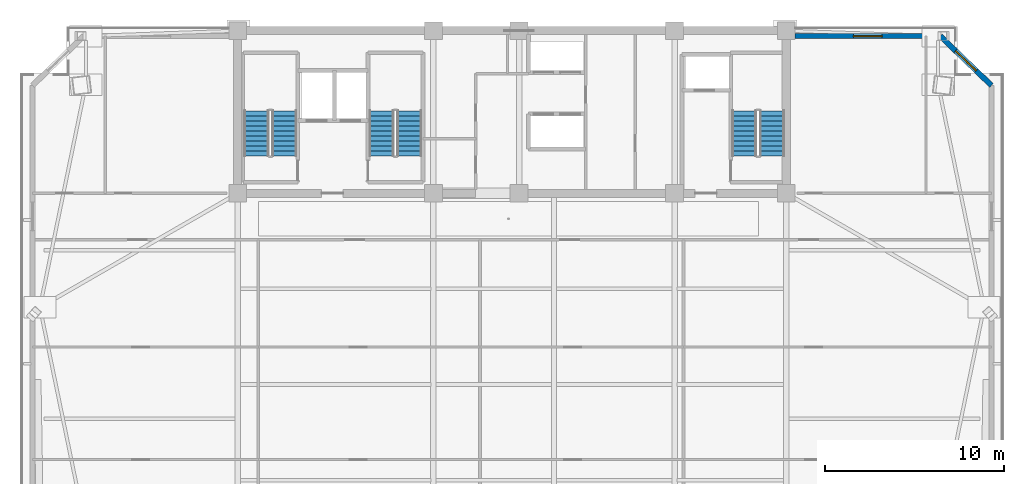
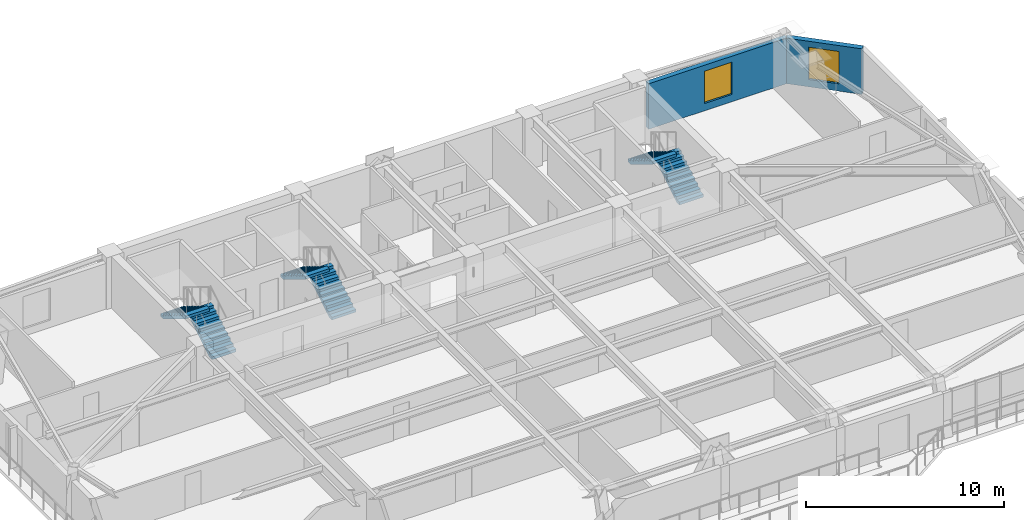
# One storey, part 11 of 16: 6 stair flights, 2 walls, 2 windows, 2 openings, 3 elements without a shape of their own.
"""IFC4 building model written with IfcOpenShell, lengths in metres."""

from ifc_helpers import new_model, si_unit, direction, frame, frame_2d, origin, place, context, subcontext, project, spatial, polyline, rectangle, outline, extrude, source, transform, mapped, material, layer, layer_set, type_object, element, fill, aggregate, save


model = new_model("IFC4")

# Units and contexts
model_context = context("Model", 3, precision=1e-05, world=origin(), true_north=direction((0.0, 1.0)))
body_context = subcontext(model_context, "Body", "Model", "MODEL_VIEW")
ifc_project = project(units=[si_unit("LENGTHUNIT", "METRE"), si_unit("AREAUNIT", "SQUARE_METRE"), si_unit("VOLUMEUNIT", "CUBIC_METRE"), si_unit("PLANEANGLEUNIT", "RADIAN"), si_unit("MASSUNIT", "GRAM", prefix="KILO")], contexts=[model_context])

# Site, building, storey
site_placement = place(None, origin())
site = spatial("IfcSite", under=ifc_project, at=site_placement, CompositionType="ELEMENT")
building_placement = place(site_placement, origin())
building = spatial("IfcBuilding", under=site, at=building_placement, Name="Giltprow Tower", CompositionType="ELEMENT")
storey_placement = place(building_placement, frame((0.0, 0.0, 255.300048828125)))
storey = spatial("IfcBuildingStorey", under=building, at=storey_placement, Name="L65", CompositionType="ELEMENT", Elevation=255.300048828125)

# Wall, opening, window
ifc_material_1 = material(Name="Precast concrete C40", Category="concrete")
ifc_layer_1 = layer(ifc_material_1, 0.300048828125, Name="Precast concrete C40")
ifc_layer_set_1 = layer_set([ifc_layer_1], Name="Precast concrete C40")
wall_type_1 = type_object("IfcWallType", Name="EW-NOTCH-CHAMFER-300", PredefinedType="SOLIDWALL", material=ifc_layer_set_1)
wall_1_placement = place(storey_placement, frame((62.037109375, 43.485107421875, 0.0), z_axis=(0.0, 0.0, 1.0), x_axis=(-0.719565206503, 0.694424879731, 0.0)))
wall_1 = element("IfcWall", 1, at=wall_1_placement, inside=storey, type_object=wall_type_1, Name="L65 Corner Notch Wall NE", PredefinedType="SOLIDWALL", context=body_context, shape_type="SweptSolid", body=[
    extrude(rectangle(XDim=3.9814453125, YDim=0.300048828125, at=frame_2d((1.99072265625, 0.0))), origin(), (0.0, 0.0, 1.0), 2.81494140625),
])
opening_1_placement = place(wall_1_placement, frame((1.19091796875, 0.0, 0.449951171875)))
opening_1 = element("IfcOpeningElement", 2, at=opening_1_placement, cuts=wall_1, Name="Opening WN17", PredefinedType="OPENING", context=body_context, shape_type="SweptSolid", body=[
    extrude(rectangle(XDim=1.60009765625, YDim=2.0, at=frame_2d((0.800048828125, 1.0))), frame((0.0, 0.159912109375, 0.0), z_axis=(0.0, -1.0, 0.0), x_axis=(1.0, 0.0, 0.0)), (0.0, 0.0, 1.0), 0.320068359375),
])
ifc_material_2 = material(Name="Insulated glass", Category="glass")
window_type = type_object("IfcWindowType", Name="WN-COR-1600x2000", PartitioningType="SINGLE_PANEL", PredefinedType="WINDOW", material=ifc_material_2)
shared_shape = source(origin(), body_context, "Body", "SweptSolid", [
    extrude(rectangle(XDim=1.60009765625, YDim=2.0, at=frame_2d((0.800048828125, 1.0))), frame((0.0, 0.030029296875, 0.0), z_axis=(0.0, -1.0, 0.0), x_axis=(1.0, 0.0, 0.0)), (0.0, 0.0, 1.0), 0.06005859375),
])
window_1_placement = place(opening_1_placement, origin())
window_1 = element("IfcWindow", 3, at=window_1_placement, inside=storey, type_object=window_type, Name="L65 Corner Notch Window NE", OverallHeight=2.0, OverallWidth=1.60009765625, PartitioningType="SINGLE_PANEL", PredefinedType="WINDOW", context=body_context, shape_type="MappedRepresentation", body=[
    mapped(shared_shape, transform((0.0, 0.0, 0.0), x_axis=(1.0, 0.0, 0.0), y_axis=(0.0, 1.0, 0.0), z_axis=(0.0, 0.0, 1.0), scale=1.0)),
])
fill(opening_1, window_1)

ifc_layer_2 = layer(ifc_material_1, 0.280029296875, Name="Precast concrete C40")
ifc_layer_set_2 = layer_set([ifc_layer_2], Name="Precast concrete C40")
wall_type_2 = type_object("IfcWallType", Name="EW-TOW-BRONZE-280", PredefinedType="SOLIDWALL", material=ifc_layer_set_2)
wall_2_placement = place(storey_placement, frame((51.050048828125, 46.25, 0.0), z_axis=(0.0, 0.0, 1.0), x_axis=(1.0, 0.0, 0.0)))
wall_2 = element("IfcWall", 4, at=wall_2_placement, inside=storey, type_object=wall_type_2, Name="L65 North-East Wing Wall", PredefinedType="SOLIDWALL", context=body_context, shape_type="SweptSolid", body=[
    extrude(rectangle(XDim=8.1220703125, YDim=0.280029296875, at=frame_2d((4.06103515625, 0.0))), origin(), (0.0, 0.0, 1.0), 2.81494140625),
])
opening_2_placement = place(wall_2_placement, frame((3.260986328125, 0.0, 0.449951171875)))
opening_2 = element("IfcOpeningElement", 5, at=opening_2_placement, cuts=wall_2, Name="Opening WN17", PredefinedType="OPENING", context=body_context, shape_type="SweptSolid", body=[
    extrude(rectangle(XDim=1.60009765625, YDim=2.0, at=frame_2d((0.800048828125, 1.0))), frame((0.0, 0.14990234375, 0.0), z_axis=(0.0, -1.0, 0.0), x_axis=(1.0, 0.0, 0.0)), (0.0, 0.0, 1.0), 0.300048828125),
])
window_2_placement = place(opening_2_placement, origin())
window_2 = element("IfcWindow", 6, at=window_2_placement, inside=storey, type_object=window_type, Name="L65 North-East Window", OverallHeight=2.0, OverallWidth=1.60009765625, PartitioningType="SINGLE_PANEL", PredefinedType="WINDOW", context=body_context, shape_type="MappedRepresentation", body=[
    mapped(shared_shape, transform((0.0, 0.0, 0.0), x_axis=(1.0, 0.0, 0.0), y_axis=(0.0, 1.0, 0.0), z_axis=(0.0, 0.0, 1.0), scale=1.0)),
])
fill(opening_2, window_2)

# Stair, stair flights
ifc_material_3 = material(Name="Concrete C40", Category="concrete")
stair_type_1 = type_object("IfcStairType", Name="STR-ST-1", PredefinedType="HALF_TURN_STAIR", material=ifc_material_3)
stair_1_placement = place(storey_placement, origin())
stair_1 = element("IfcStair", 7, at=stair_1_placement, inside=storey, type_object=stair_type_1, Name="L65 Core Exit Stair ST-1", PredefinedType="HALF_TURN_STAIR")
stair_flight_type_1 = type_object("IfcStairFlightType", Name="SFL-ST-1", PredefinedType="STRAIGHT", material=ifc_material_3)
stair_flight_1_placement = place(storey_placement, frame((22.4599609375, 39.550048828125, 0.0), z_axis=(0.0, 0.0, 1.0), x_axis=(0.0, 1.0, 0.0)))
stair_flight_1 = element("IfcStairFlight", 8, at=stair_flight_1_placement, type_object=stair_flight_type_1, Name="ST-1 flight 1", NumberOfRisers=10, NumberOfTreads=9, PredefinedType="STRAIGHT", RiserHeight=0.17, TreadLength=0.28, context=body_context, shape_type="SweptSolid", body=[
    extrude(outline(polyline([(0.0, 0.0), (0.0, 0.169921875), (0.280029296875, 0.169921875), (0.280029296875, 0.340087890625), (0.56005859375, 0.340087890625), (0.56005859375, 0.510009765625), (0.840087890625, 0.510009765625), (0.840087890625, 0.679931640625), (1.1201171875, 0.679931640625), (1.1201171875, 0.85009765625), (1.39990234375, 0.85009765625), (1.39990234375, 1.02001953125), (1.679931640625, 1.02001953125), (1.679931640625, 1.18994140625), (1.9599609375, 1.18994140625), (1.9599609375, 1.360107421875), (2.239990234375, 1.360107421875), (2.239990234375, 1.530029296875), (2.52001953125, 1.530029296875), (2.52001953125, 1.699951171875), (2.52001953125, 1.354736328125), (0.288818359375, 0.0), (0.0, 0.0)])), frame((0.0, 0.699951171875, 0.0), z_axis=(0.0, -1.0, 0.0), x_axis=(1.0, 0.0, 0.0)), (0.0, 0.0, 1.0), 1.39990234375),
])
stair_flight_2_placement = place(storey_placement, frame((20.89990234375, 42.070068359375, 1.699951171875), z_axis=(0.0, 0.0, 1.0), x_axis=(0.0, -1.0, 0.0)))
stair_flight_2 = element("IfcStairFlight", 9, at=stair_flight_2_placement, type_object=stair_flight_type_1, Name="ST-1 flight 2", NumberOfRisers=10, NumberOfTreads=9, PredefinedType="STRAIGHT", RiserHeight=0.17, TreadLength=0.28, context=body_context, shape_type="SweptSolid", body=[
    extrude(outline(polyline([(0.0, 0.0), (0.0, 0.169921875), (0.280029296875, 0.169921875), (0.280029296875, 0.340087890625), (0.56005859375, 0.340087890625), (0.56005859375, 0.510009765625), (0.840087890625, 0.510009765625), (0.840087890625, 0.679931640625), (1.1201171875, 0.679931640625), (1.1201171875, 0.85009765625), (1.39990234375, 0.85009765625), (1.39990234375, 1.02001953125), (1.679931640625, 1.02001953125), (1.679931640625, 1.18994140625), (1.9599609375, 1.18994140625), (1.9599609375, 1.360107421875), (2.239990234375, 1.360107421875), (2.239990234375, 1.530029296875), (2.52001953125, 1.530029296875), (2.52001953125, 1.699951171875), (2.52001953125, 1.354736328125), (0.288818359375, 0.0), (0.0, 0.0)])), frame((0.0, 0.699951171875, 0.0), z_axis=(0.0, -1.0, 0.0), x_axis=(1.0, 0.0, 0.0)), (0.0, 0.0, 1.0), 1.39990234375),
])
aggregate(stair_1, [stair_flight_1, stair_flight_2])

stair_type_2 = type_object("IfcStairType", Name="STR-ST-2", PredefinedType="HALF_TURN_STAIR", material=ifc_material_3)
stair_2_placement = place(storey_placement, origin())
stair_2 = element("IfcStair", 10, at=stair_2_placement, inside=storey, type_object=stair_type_2, Name="L65 Core Exit Stair ST-2", PredefinedType="HALF_TURN_STAIR")
stair_flight_type_2 = type_object("IfcStairFlightType", Name="SFL-ST-2", PredefinedType="STRAIGHT", material=ifc_material_3)
stair_flight_3_placement = place(storey_placement, frame((29.4599609375, 39.550048828125, 0.0), z_axis=(0.0, 0.0, 1.0), x_axis=(0.0, 1.0, 0.0)))
stair_flight_3 = element("IfcStairFlight", 11, at=stair_flight_3_placement, type_object=stair_flight_type_2, Name="ST-2 flight 1", NumberOfRisers=10, NumberOfTreads=9, PredefinedType="STRAIGHT", RiserHeight=0.17, TreadLength=0.28, context=body_context, shape_type="SweptSolid", body=[
    extrude(outline(polyline([(0.0, 0.0), (0.0, 0.169921875), (0.280029296875, 0.169921875), (0.280029296875, 0.340087890625), (0.56005859375, 0.340087890625), (0.56005859375, 0.510009765625), (0.840087890625, 0.510009765625), (0.840087890625, 0.679931640625), (1.1201171875, 0.679931640625), (1.1201171875, 0.85009765625), (1.39990234375, 0.85009765625), (1.39990234375, 1.02001953125), (1.679931640625, 1.02001953125), (1.679931640625, 1.18994140625), (1.9599609375, 1.18994140625), (1.9599609375, 1.360107421875), (2.239990234375, 1.360107421875), (2.239990234375, 1.530029296875), (2.52001953125, 1.530029296875), (2.52001953125, 1.699951171875), (2.52001953125, 1.354736328125), (0.288818359375, 0.0), (0.0, 0.0)])), frame((0.0, 0.699951171875, 0.0), z_axis=(0.0, -1.0, 0.0), x_axis=(1.0, 0.0, 0.0)), (0.0, 0.0, 1.0), 1.39990234375),
])
stair_flight_4_placement = place(storey_placement, frame((27.89990234375, 42.070068359375, 1.699951171875), z_axis=(0.0, 0.0, 1.0), x_axis=(0.0, -1.0, 0.0)))
stair_flight_4 = element("IfcStairFlight", 12, at=stair_flight_4_placement, type_object=stair_flight_type_2, Name="ST-2 flight 2", NumberOfRisers=10, NumberOfTreads=9, PredefinedType="STRAIGHT", RiserHeight=0.17, TreadLength=0.28, context=body_context, shape_type="SweptSolid", body=[
    extrude(outline(polyline([(0.0, 0.0), (0.0, 0.169921875), (0.280029296875, 0.169921875), (0.280029296875, 0.340087890625), (0.56005859375, 0.340087890625), (0.56005859375, 0.510009765625), (0.840087890625, 0.510009765625), (0.840087890625, 0.679931640625), (1.1201171875, 0.679931640625), (1.1201171875, 0.85009765625), (1.39990234375, 0.85009765625), (1.39990234375, 1.02001953125), (1.679931640625, 1.02001953125), (1.679931640625, 1.18994140625), (1.9599609375, 1.18994140625), (1.9599609375, 1.360107421875), (2.239990234375, 1.360107421875), (2.239990234375, 1.530029296875), (2.52001953125, 1.530029296875), (2.52001953125, 1.699951171875), (2.52001953125, 1.354736328125), (0.288818359375, 0.0), (0.0, 0.0)])), frame((0.0, 0.699951171875, 0.0), z_axis=(0.0, -1.0, 0.0), x_axis=(1.0, 0.0, 0.0)), (0.0, 0.0, 1.0), 1.39990234375),
])
aggregate(stair_2, [stair_flight_3, stair_flight_4])

stair_type_3 = type_object("IfcStairType", Name="STR-ST-3", PredefinedType="HALF_TURN_STAIR", material=ifc_material_3)
stair_3_placement = place(storey_placement, origin())
stair_3 = element("IfcStair", 13, at=stair_3_placement, inside=storey, type_object=stair_type_3, Name="L65 Core Exit Stair ST-3", PredefinedType="HALF_TURN_STAIR")
stair_flight_type_3 = type_object("IfcStairFlightType", Name="SFL-ST-3", PredefinedType="STRAIGHT", material=ifc_material_3)
stair_flight_5_placement = place(storey_placement, frame((49.760009765625, 39.550048828125, 0.0), z_axis=(0.0, 0.0, 1.0), x_axis=(0.0, 1.0, 0.0)))
stair_flight_5 = element("IfcStairFlight", 14, at=stair_flight_5_placement, type_object=stair_flight_type_3, Name="ST-3 flight 1", NumberOfRisers=10, NumberOfTreads=9, PredefinedType="STRAIGHT", RiserHeight=0.17, TreadLength=0.28, context=body_context, shape_type="SweptSolid", body=[
    extrude(outline(polyline([(0.0, 0.0), (0.0, 0.169921875), (0.280029296875, 0.169921875), (0.280029296875, 0.340087890625), (0.56005859375, 0.340087890625), (0.56005859375, 0.510009765625), (0.840087890625, 0.510009765625), (0.840087890625, 0.679931640625), (1.1201171875, 0.679931640625), (1.1201171875, 0.85009765625), (1.39990234375, 0.85009765625), (1.39990234375, 1.02001953125), (1.679931640625, 1.02001953125), (1.679931640625, 1.18994140625), (1.9599609375, 1.18994140625), (1.9599609375, 1.360107421875), (2.239990234375, 1.360107421875), (2.239990234375, 1.530029296875), (2.52001953125, 1.530029296875), (2.52001953125, 1.699951171875), (2.52001953125, 1.354736328125), (0.288818359375, 0.0), (0.0, 0.0)])), frame((0.0, 0.699951171875, 0.0), z_axis=(0.0, -1.0, 0.0), x_axis=(1.0, 0.0, 0.0)), (0.0, 0.0, 1.0), 1.39990234375),
])
stair_flight_6_placement = place(storey_placement, frame((48.199951171875, 42.070068359375, 1.699951171875), z_axis=(0.0, 0.0, 1.0), x_axis=(0.0, -1.0, 0.0)))
stair_flight_6 = element("IfcStairFlight", 15, at=stair_flight_6_placement, type_object=stair_flight_type_3, Name="ST-3 flight 2", NumberOfRisers=10, NumberOfTreads=9, PredefinedType="STRAIGHT", RiserHeight=0.17, TreadLength=0.28, context=body_context, shape_type="SweptSolid", body=[
    extrude(outline(polyline([(0.0, 0.0), (0.0, 0.169921875), (0.280029296875, 0.169921875), (0.280029296875, 0.340087890625), (0.56005859375, 0.340087890625), (0.56005859375, 0.510009765625), (0.840087890625, 0.510009765625), (0.840087890625, 0.679931640625), (1.1201171875, 0.679931640625), (1.1201171875, 0.85009765625), (1.39990234375, 0.85009765625), (1.39990234375, 1.02001953125), (1.679931640625, 1.02001953125), (1.679931640625, 1.18994140625), (1.9599609375, 1.18994140625), (1.9599609375, 1.360107421875), (2.239990234375, 1.360107421875), (2.239990234375, 1.530029296875), (2.52001953125, 1.530029296875), (2.52001953125, 1.699951171875), (2.52001953125, 1.354736328125), (0.288818359375, 0.0), (0.0, 0.0)])), frame((0.0, 0.699951171875, 0.0), z_axis=(0.0, -1.0, 0.0), x_axis=(1.0, 0.0, 0.0)), (0.0, 0.0, 1.0), 1.39990234375),
])
aggregate(stair_3, [stair_flight_5, stair_flight_6])

save(model, "model.ifc")
